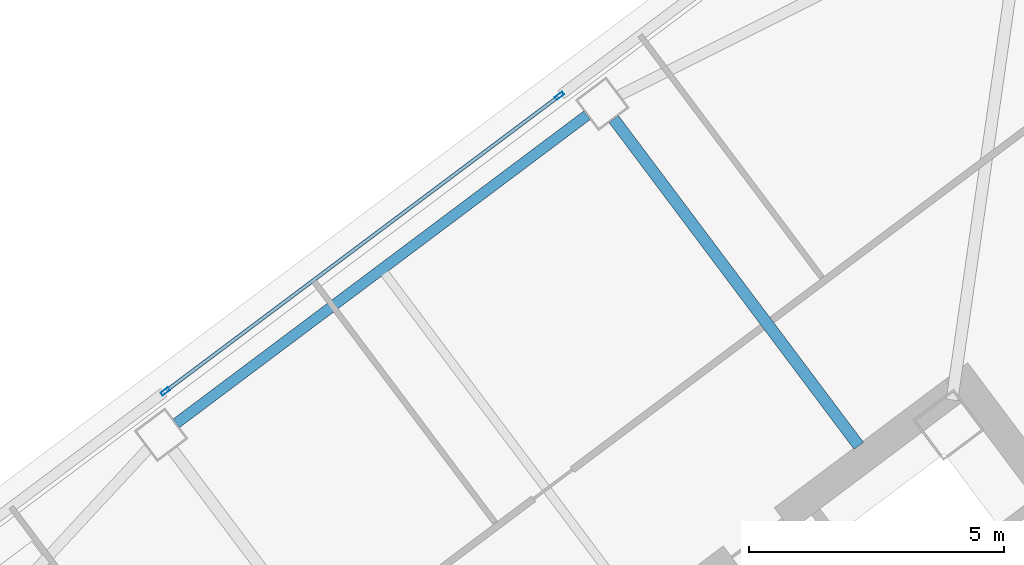
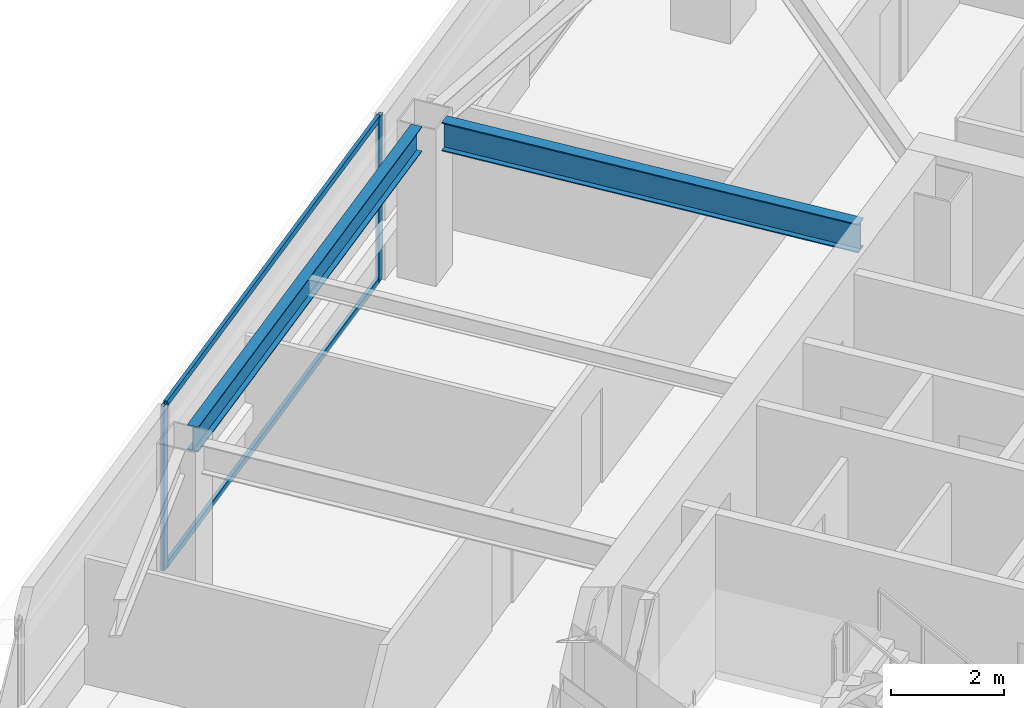
# One storey, part 26 of 41: 4 members, 2 beams, 1 element without a shape of its own.
"""IFC4 building model written with IfcOpenShell, lengths in metres."""

from ifc_helpers import new_model, si_unit, direction, frame, origin, origin_2d, place, context, subcontext, project, spatial, hollow_rectangle, i_section, extrude, material, material_profile, profile_set, type_object, element, aggregate, save


model = new_model("IFC4")

# Units and contexts
model_context = context("Model", 3, precision=1e-05, world=origin(), true_north=direction((0.0, 1.0)))
body_context = subcontext(model_context, "Body", "Model", "MODEL_VIEW")
ifc_project = project(units=[si_unit("LENGTHUNIT", "METRE"), si_unit("AREAUNIT", "SQUARE_METRE"), si_unit("VOLUMEUNIT", "CUBIC_METRE"), si_unit("PLANEANGLEUNIT", "RADIAN"), si_unit("MASSUNIT", "GRAM", prefix="KILO")], contexts=[model_context])

# Site, building, storey
site_placement = place(None, origin())
site = spatial("IfcSite", under=ifc_project, at=site_placement, CompositionType="ELEMENT")
building_placement = place(site_placement, origin())
building = spatial("IfcBuilding", under=site, at=building_placement, Name="Tashvorn Skyway Center", CompositionType="ELEMENT")
storey_placement = place(building_placement, frame((0.0, 0.0, 171.199951171875)))
storey = spatial("IfcBuildingStorey", under=building, at=storey_placement, Name="L46", CompositionType="ELEMENT", Elevation=171.199951171875)

# Beams
ifc_material_1 = material(Name="Steel ASTM A992 Grade 50", Category="steel")
ifc_material_profile_1 = material_profile(ifc_material_1, i_section(OverallWidth=0.22998046875, OverallDepth=0.616943359375, WebThickness=0.01318359375, FlangeThickness=0.022216796875, at=origin_2d()), Name="W24X94")
ifc_profile_set_1 = profile_set([ifc_material_profile_1], Name="Steel ASTM A992 Grade 50")
beam_type_1 = type_object("IfcBeamType", Name="BM-BEAM-W24X94", PredefinedType="BEAM", material=ifc_profile_set_1)
beam_1_placement = place(storey_placement, frame((108.85205078125, 47.864013671875, 3.0615234375), z_axis=(0.60000976564, -0.799992675677, 0.0), x_axis=(0.799992675677, 0.60000976564, 0.0)))
element("IfcBeam", 1, at=beam_1_placement, inside=storey, type_object=beam_type_1, Name="Tower 2 L46 Primary Floor Girder FC-N1", PredefinedType="BEAM", context=body_context, shape_type="SweptSolid", body=[
    extrude(i_section(OverallWidth=0.22998046875, OverallDepth=0.616943359375, WebThickness=0.01318359375, FlangeThickness=0.022216796875, at=origin_2d()), origin(), (0.0, 0.0, 1.0), 8.0),
])
ifc_material_profile_2 = material_profile(ifc_material_1, i_section(OverallWidth=0.2109375, OverallDepth=0.5390625, WebThickness=0.01171875, FlangeThickness=0.018798828125, at=origin_2d()), Name="W21X73")
ifc_profile_set_2 = profile_set([ifc_material_profile_2], Name="Steel ASTM A992 Grade 50")
beam_type_2 = type_object("IfcBeamType", Name="BM-SPANDREL-W21X73", PredefinedType="SPANDREL", material=ifc_profile_set_2)
beam_2_placement = place(storey_placement, frame((108.333984375, 47.93798828125, 3.1005859375), z_axis=(-0.800008736549, -0.599988351091, 0.0), x_axis=(0.599988351091, -0.800008736549, 0.0)))
element("IfcBeam", 2, at=beam_2_placement, inside=storey, type_object=beam_type_2, Name="Tower 2 L46 Spandrel Beam 08", PredefinedType="SPANDREL", context=body_context, shape_type="SweptSolid", body=[
    extrude(i_section(OverallWidth=0.2109375, OverallDepth=0.5390625, WebThickness=0.01171875, FlangeThickness=0.018798828125, at=origin_2d()), origin(), (0.0, 0.0, 1.0), 10.06005859375),
])

# Curtain wall, members
ifc_material_2 = material(Name="Thermally broken bronze-anodized aluminium 6063-T6", Category="aluminium")
curtain_wall_type = type_object("IfcCurtainWallType", Name="CW-CW-Z4", PredefinedType="NOTDEFINED", material=ifc_material_2)
curtain_wall_placement = place(storey_placement, origin())
curtain_wall = element("IfcCurtainWall", 3, at=curtain_wall_placement, inside=storey, type_object=curtain_wall_type, Name="Tower 2 L46 North Unitised Curtain Wall Glazing Group 2", PredefinedType="NOTDEFINED")
ifc_material_profile_3 = material_profile(ifc_material_2, hollow_rectangle(XDim=0.070068359375, YDim=0.179931640625, WallThickness=0.00390625, at=origin_2d()), Name="ALU-MULL-70x180")
ifc_profile_set_3 = profile_set([ifc_material_profile_3], Name="Thermally broken bronze-anodized aluminium 6063-T6")
member_type_1 = type_object("IfcMemberType", Name="CWM-CW-Z4", PredefinedType="MULLION", material=ifc_profile_set_3)
member_1_placement = place(storey_placement, frame((100.072021484375, 42.529052734375, 0.0), z_axis=(0.0, 0.0, 1.0), x_axis=(-0.600000000002, 0.799999999998, 0.0)))
member_1 = element("IfcMember", 4, at=member_1_placement, type_object=member_type_1, Name="CW-Z4 mullion 1", PredefinedType="MULLION", context=body_context, shape_type="SweptSolid", body=[
    extrude(hollow_rectangle(XDim=0.070068359375, YDim=0.179931640625, WallThickness=0.00390625, at=origin_2d()), origin(), (0.0, 0.0, 1.0), 3.550048828125),
])
member_2_placement = place(storey_placement, frame((107.7919921875, 48.319091796875, 0.0), z_axis=(0.0, 0.0, 1.0), x_axis=(-0.600000000002, 0.799999999998, 0.0)))
member_2 = element("IfcMember", 5, at=member_2_placement, type_object=member_type_1, Name="CW-Z4 mullion 2", PredefinedType="MULLION", context=body_context, shape_type="SweptSolid", body=[
    extrude(hollow_rectangle(XDim=0.070068359375, YDim=0.179931640625, WallThickness=0.00390625, at=origin_2d()), origin(), (0.0, 0.0, 1.0), 3.550048828125),
])
ifc_material_profile_4 = material_profile(ifc_material_2, hollow_rectangle(XDim=0.070068359375, YDim=0.1298828125, WallThickness=0.00390625, at=origin_2d()), Name="ALU-TRAN-70x130")
ifc_profile_set_4 = profile_set([ifc_material_profile_4], Name="Thermally broken bronze-anodized aluminium 6063-T6")
member_type_2 = type_object("IfcMemberType", Name="CWT-CW-Z4", PredefinedType="USERDEFINED", material=ifc_profile_set_4)
member_3_placement = place(storey_placement, frame((100.10009765625, 42.550048828125, 0.03515625), z_axis=(0.799990825408, 0.600012232595, 0.0), x_axis=(-0.600012232595, 0.799990825408, 0.0)))
member_3 = element("IfcMember", 6, at=member_3_placement, type_object=member_type_2, Name="CW-Z4 transom 1.1", ObjectType="TRANSOM", PredefinedType="USERDEFINED", context=body_context, shape_type="SweptSolid", body=[
    extrude(hollow_rectangle(XDim=0.070068359375, YDim=0.1298828125, WallThickness=0.00390625, at=origin_2d()), origin(), (0.0, 0.0, 1.0), 9.579833984375),
])
member_4_placement = place(storey_placement, frame((100.10009765625, 42.550048828125, 3.51513671875), z_axis=(0.799990825408, 0.600012232595, 0.0), x_axis=(-0.600012232595, 0.799990825408, 0.0)))
member_4 = element("IfcMember", 7, at=member_4_placement, type_object=member_type_2, Name="CW-Z4 transom 1.2", ObjectType="TRANSOM", PredefinedType="USERDEFINED", context=body_context, shape_type="SweptSolid", body=[
    extrude(hollow_rectangle(XDim=0.070068359375, YDim=0.1298828125, WallThickness=0.00390625, at=origin_2d()), origin(), (0.0, 0.0, 1.0), 9.579833984375),
])
aggregate(curtain_wall, [member_1, member_2, member_3, member_4])

save(model, "model.ifc")
